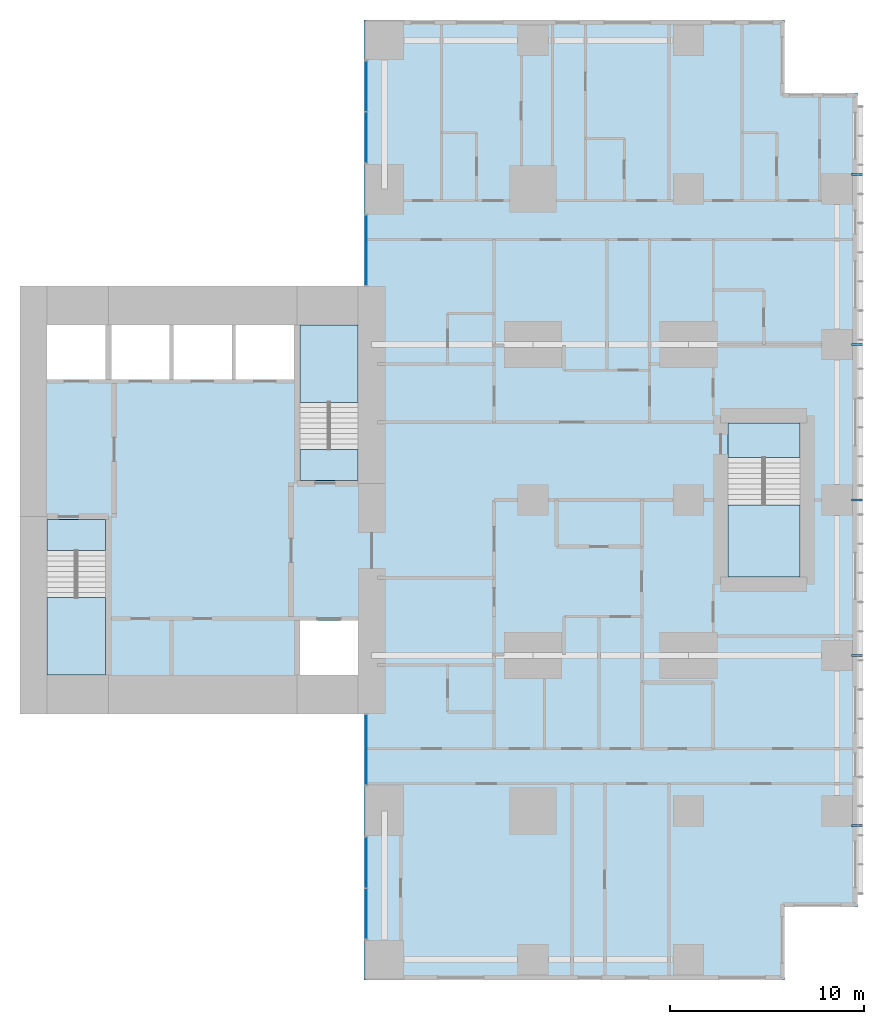
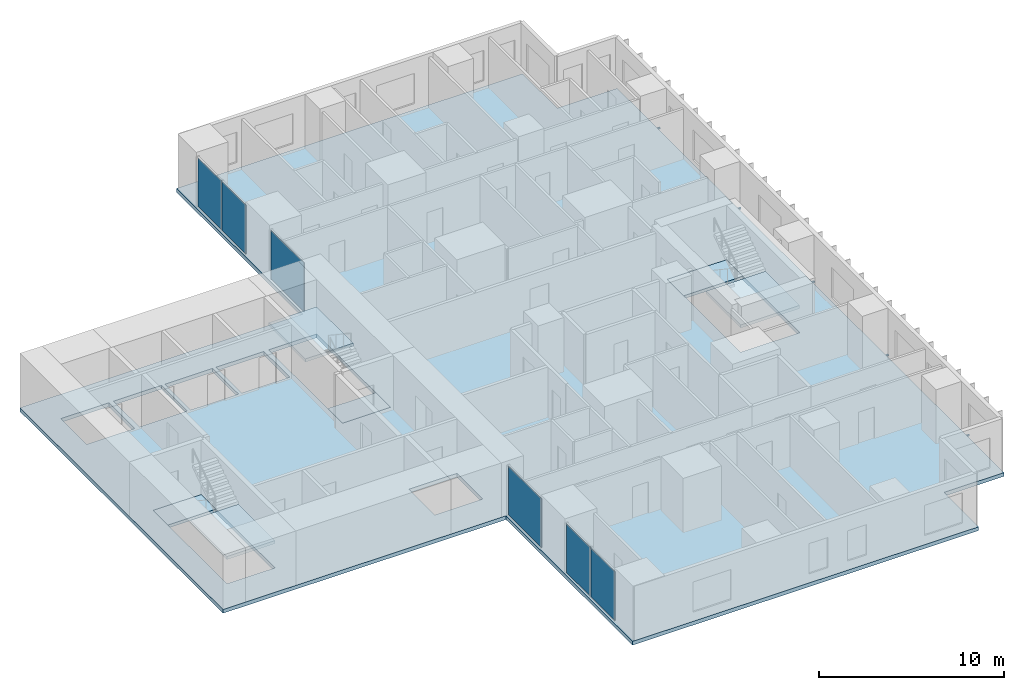
# One storey, part 4 of 12: 7 slabs, 6 plates, 5 members, 7 elements without a shape of their own.
"""IFC4 building model written with IfcOpenShell, lengths in metres."""

from ifc_helpers import new_model, si_unit, direction, frame, origin, origin_2d, place, context, subcontext, project, spatial, polyline, rectangle, hollow_rectangle, outline, extrude, material, layer, layer_set, material_profile, profile_set, type_object, element, aggregate, save


model = new_model("IFC4")

# Units and contexts
model_context = context("Model", 3, precision=1e-05, world=origin(), true_north=direction((0.0, 1.0)))
body_context = subcontext(model_context, "Body", "Model", "MODEL_VIEW")
ifc_project = project(units=[si_unit("LENGTHUNIT", "METRE"), si_unit("AREAUNIT", "SQUARE_METRE"), si_unit("VOLUMEUNIT", "CUBIC_METRE"), si_unit("PLANEANGLEUNIT", "RADIAN"), si_unit("MASSUNIT", "GRAM", prefix="KILO")], contexts=[model_context])

# Site, building, storey
site_placement = place(None, origin())
site = spatial("IfcSite", under=ifc_project, at=site_placement, CompositionType="ELEMENT")
building_placement = place(site_placement, origin())
building = spatial("IfcBuilding", under=site, at=building_placement, Name="Cleftline Residences", CompositionType="ELEMENT")
storey_placement = place(building_placement, frame((0.0, 0.0, 259.199951171875)))
storey = spatial("IfcBuildingStorey", under=building, at=storey_placement, Name="L68", CompositionType="ELEMENT", Elevation=259.199951171875)

# Members
ifc_material_1 = material(Name="Steel S355, hot-dip galvanised", Category="steel")
ifc_material_profile = material_profile(ifc_material_1, hollow_rectangle(XDim=0.10009765625, YDim=0.10009765625, WallThickness=0.008056640625, InnerFilletRadius=0.008056640625, OuterFilletRadius=0.011962890625, at=origin_2d()))
ifc_profile_set = profile_set([ifc_material_profile], Name="Steel S355, hot-dip galvanised")
member_type = type_object("IfcMemberType", Name="BAGUETTE BRACKET SHS 100X100X8", PredefinedType="USERDEFINED", material=ifc_profile_set)
for number, where, z_axis, x_axis, name in (
    (1, (66.39990234375, 7.25, -0.14990234375), (1.0, 0.0, 0.0), (0.0, 1.0, 0.0), "Baguette bracket"),
    (2, (66.39990234375, 16.0, -0.14990234375), (1.0, 0.0, 0.0), (0.0, 1.0, 0.0), "Baguette bracket"),
    (3, (66.39990234375, 24.0, -0.14990234375), (1.0, 0.0, 0.0), (0.0, 1.0, 0.0), "Baguette bracket"),
    (4, (66.39990234375, 32.0, -0.14990234375), (1.0, 0.0, 0.0), (0.0, 1.0, 0.0), "Baguette bracket"),
    (5, (66.39990234375, 40.75, -0.14990234375), (1.0, 0.0, 0.0), (0.0, 1.0, 0.0), "Baguette bracket"),
):
    element("IfcMember", number, at=place(storey_placement, frame(where, z_axis=z_axis, x_axis=x_axis)), inside=storey, type_object=member_type, Name=name, ObjectType="BAGUETTE BRACKET", PredefinedType="USERDEFINED", context=body_context, shape_type="SweptSolid", body=[
        extrude(hollow_rectangle(XDim=0.10009765625, YDim=0.10009765625, WallThickness=0.008056640625, InnerFilletRadius=0.008056640625, OuterFilletRadius=0.011962890625, at=origin_2d()), origin(), (0.0, 0.0, 1.0), 0.550048828125),
    ])

# Curtain wall, plate
ifc_material_2 = material(Name="Aluminium framed curtain wall", Category="aluminium")
ifc_layer_1 = layer(ifc_material_2, 0.199951171875)
ifc_layer_set_1 = layer_set([ifc_layer_1], Name="CW1 CLEFT GLAZING")
curtain_wall_type = type_object("IfcCurtainWallType", Name="CW1 CLEFT GLAZING", PredefinedType="NOTDEFINED", material=ifc_layer_set_1)
curtain_wall_1_placement = place(storey_placement, origin())
curtain_wall_1 = element("IfcCurtainWall", 6, at=curtain_wall_1_placement, inside=storey, type_object=curtain_wall_type, Name="Curtain wall CW1", PredefinedType="NOTDEFINED")
ifc_material_3 = material(Name="Laminated clear glass", Category="glass")
ifc_layer_2 = layer(ifc_material_3, 0.028076171875)
ifc_layer_set_2 = layer_set([ifc_layer_2], Name="CW1 GLASS PANEL")
plate_type = type_object("IfcPlateType", Name="CW1 GLASS PANEL", PredefinedType="CURTAIN_PANEL", material=ifc_layer_set_2)
plate_1_placement = place(storey_placement, frame((41.425048828125, 11.14990234375, 0.06005859375), z_axis=(0.0, 0.0, 1.0), x_axis=(0.0, -1.0, 0.0)))
plate_1 = element("IfcPlate", 7, at=plate_1_placement, type_object=plate_type, Name="CW1 panel 1.1", PredefinedType="CURTAIN_PANEL", context=body_context, shape_type="SweptSolid", body=[
    extrude(rectangle(XDim=3.580078125, YDim=0.028076171875, at=origin_2d()), origin(), (0.0, 0.0, 1.0), 3.22998046875),
])
aggregate(curtain_wall_1, [plate_1])

# Curtain wall, plates
curtain_wall_2_placement = place(storey_placement, origin())
curtain_wall_2 = element("IfcCurtainWall", 8, at=curtain_wall_2_placement, inside=storey, type_object=curtain_wall_type, Name="Curtain wall CW1", PredefinedType="NOTDEFINED")
plate_2_placement = place(storey_placement, frame((41.425048828125, 5.347412109375, 0.06005859375), z_axis=(0.0, 0.0, 1.0), x_axis=(0.0, -1.0, 0.0)))
plate_2 = element("IfcPlate", 9, at=plate_2_placement, type_object=plate_type, Name="CW1 panel 1.1", PredefinedType="CURTAIN_PANEL", context=body_context, shape_type="SweptSolid", body=[
    extrude(rectangle(XDim=2.5849609375, YDim=0.028076171875, at=origin_2d()), origin(), (0.0, 0.0, 1.0), 3.22998046875),
])
plate_3_placement = place(storey_placement, frame((41.425048828125, 2.702392578125, 0.06005859375), z_axis=(0.0, 0.0, 1.0), x_axis=(0.0, -1.0, 0.0)))
plate_3 = element("IfcPlate", 10, at=plate_3_placement, type_object=plate_type, Name="CW1 panel 2.1", PredefinedType="CURTAIN_PANEL", context=body_context, shape_type="SweptSolid", body=[
    extrude(rectangle(XDim=2.5849609375, YDim=0.028076171875, at=origin_2d()), origin(), (0.0, 0.0, 1.0), 3.22998046875),
])
aggregate(curtain_wall_2, [plate_2, plate_3])

curtain_wall_3_placement = place(storey_placement, origin())
curtain_wall_3 = element("IfcCurtainWall", 11, at=curtain_wall_3_placement, inside=storey, type_object=curtain_wall_type, Name="Curtain wall CW1", PredefinedType="NOTDEFINED")
plate_4_placement = place(storey_placement, frame((41.425048828125, 45.297607421875, 0.06005859375), z_axis=(0.0, 0.0, 1.0), x_axis=(0.0, -1.0, 0.0)))
plate_4 = element("IfcPlate", 12, at=plate_4_placement, type_object=plate_type, Name="CW1 panel 1.1", PredefinedType="CURTAIN_PANEL", context=body_context, shape_type="SweptSolid", body=[
    extrude(rectangle(XDim=2.5849609375, YDim=0.028076171875, at=origin_2d()), origin(), (0.0, 0.0, 1.0), 3.22998046875),
])
plate_5_placement = place(storey_placement, frame((41.425048828125, 42.652587890625, 0.06005859375), z_axis=(0.0, 0.0, 1.0), x_axis=(0.0, -1.0, 0.0)))
plate_5 = element("IfcPlate", 13, at=plate_5_placement, type_object=plate_type, Name="CW1 panel 2.1", PredefinedType="CURTAIN_PANEL", context=body_context, shape_type="SweptSolid", body=[
    extrude(rectangle(XDim=2.5849609375, YDim=0.028076171875, at=origin_2d()), origin(), (0.0, 0.0, 1.0), 3.22998046875),
])
aggregate(curtain_wall_3, [plate_4, plate_5])

# Curtain wall, plate
curtain_wall_4_placement = place(storey_placement, origin())
curtain_wall_4 = element("IfcCurtainWall", 14, at=curtain_wall_4_placement, inside=storey, type_object=curtain_wall_type, Name="Curtain wall CW1", PredefinedType="NOTDEFINED")
plate_6_placement = place(storey_placement, frame((41.425048828125, 36.85009765625, 0.06005859375), z_axis=(0.0, 0.0, 1.0), x_axis=(0.0, -1.0, 0.0)))
plate_6 = element("IfcPlate", 15, at=plate_6_placement, type_object=plate_type, Name="CW1 panel 1.1", PredefinedType="CURTAIN_PANEL", context=body_context, shape_type="SweptSolid", body=[
    extrude(rectangle(XDim=3.580078125, YDim=0.028076171875, at=origin_2d()), origin(), (0.0, 0.0, 1.0), 3.22998046875),
])
aggregate(curtain_wall_4, [plate_6])

# Slab
ifc_material_4 = material(Name="Concrete B45", Category="concrete")
ifc_layer_3 = layer(ifc_material_4, 0.25)
ifc_layer_set_3 = layer_set([ifc_layer_3], Name="FLOOR SLAB 250")
slab_type_1 = type_object("IfcSlabType", Name="FLOOR SLAB 250", PredefinedType="FLOOR", material=ifc_layer_set_3)
slab_1_placement = place(storey_placement, frame((0.0, 0.0, -0.25)))
element("IfcSlab", 16, at=slab_1_placement, inside=storey, type_object=slab_type_1, Name="Floor slab L68", PredefinedType="FLOOR", context=body_context, shape_type="SweptSolid", body=[
    extrude(outline(polyline([(41.300048828125, 13.0), (41.300048828125, -0.699951171875), (62.949951171875, -0.699951171875), (62.949951171875, 3.050048828125), (66.699951171875, 3.050048828125), (66.699951171875, 44.949951171875), (62.949951171875, 44.949951171875), (62.949951171875, 48.699951171875), (41.300048828125, 48.699951171875), (41.300048828125, 35.0), (23.60009765625, 35.0), (23.60009765625, 13.0), (41.300048828125, 13.0)]), holes=[polyline([(28.0, 15.0), (28.0, 23.0), (25.0, 23.0), (25.0, 15.0), (28.0, 15.0)]), polyline([(41.0, 25.0), (41.0, 33.0), (38.0, 33.0), (38.0, 25.0), (41.0, 25.0)]), polyline([(28.0, 30.199951171875), (28.0, 33.0), (25.0, 33.0), (25.0, 30.199951171875), (28.0, 30.199951171875)]), polyline([(41.0, 15.0), (41.0, 17.800048828125), (38.0, 17.800048828125), (38.0, 15.0), (41.0, 15.0)]), polyline([(31.300048828125, 30.199951171875), (31.300048828125, 33.0), (28.300048828125, 33.0), (28.300048828125, 30.199951171875), (31.300048828125, 30.199951171875)]), polyline([(34.5, 30.199951171875), (34.5, 33.0), (31.5, 33.0), (31.5, 30.199951171875), (34.5, 30.199951171875)]), polyline([(37.699951171875, 30.199951171875), (37.699951171875, 33.0), (34.699951171875, 33.0), (34.699951171875, 30.199951171875), (37.699951171875, 30.199951171875)]), polyline([(63.72509765625, 20.02490234375), (63.72509765625, 27.97509765625), (60.02490234375, 27.97509765625), (60.02490234375, 20.02490234375), (63.72509765625, 20.02490234375)])]), origin(), (0.0, 0.0, 1.0), 0.25),
])

# Stair, slabs
ifc_material_5 = material(Name="Concrete B45, stone treads", Category="masonry")
stair_type_1 = type_object("IfcStairType", Name="STAIR A 1450 WIDE 180 RISER", PredefinedType="HALF_TURN_STAIR", material=ifc_material_5)
stair_1_placement = place(storey_placement, origin())
stair_1 = element("IfcStair", 17, at=stair_1_placement, inside=storey, type_object=stair_type_1, Name="Stair A L68", PredefinedType="HALF_TURN_STAIR")
ifc_material_6 = material(Name="Concrete B45", Category="concrete")
ifc_layer_4 = layer(ifc_material_6, 0.199951171875)
ifc_layer_set_4 = layer_set([ifc_layer_4], Name="STAIR LANDING 200")
slab_type_2 = type_object("IfcSlabType", Name="STAIR LANDING 200", PredefinedType="LANDING", material=ifc_layer_set_4)
slab_2_placement = place(storey_placement, frame((0.0, 0.0, -0.199951171875)))
slab_2 = element("IfcSlab", 18, at=slab_2_placement, type_object=slab_type_2, Name="ST-A landing 1", PredefinedType="LANDING", context=body_context, shape_type="SweptSolid", body=[
    extrude(outline(polyline([(25.0, 21.39990234375), (28.0, 21.39990234375), (28.0, 23.0), (25.0, 23.0), (25.0, 21.39990234375)])), origin(), (0.0, 0.0, 1.0), 0.199951171875),
])
slab_3_placement = place(storey_placement, frame((0.0, 0.0, 1.60009765625)))
slab_3 = element("IfcSlab", 19, at=slab_3_placement, type_object=slab_type_2, Name="ST-A landing 2", PredefinedType="LANDING", context=body_context, shape_type="SweptSolid", body=[
    extrude(outline(polyline([(25.0, 15.0), (28.0, 15.0), (28.0, 18.969970703125), (25.0, 18.969970703125), (25.0, 15.0)])), origin(), (0.0, 0.0, 1.0), 0.199951171875),
])
aggregate(stair_1, [slab_2, slab_3])

ifc_material_7 = material(Name="Concrete B45, stone treads", Category="masonry")
stair_type_2 = type_object("IfcStairType", Name="STAIR B 1450 WIDE 180 RISER", PredefinedType="HALF_TURN_STAIR", material=ifc_material_7)
stair_2_placement = place(storey_placement, origin())
stair_2 = element("IfcStair", 20, at=stair_2_placement, inside=storey, type_object=stair_type_2, Name="Stair B L68", PredefinedType="HALF_TURN_STAIR")
slab_4_placement = place(storey_placement, frame((0.0, 0.0, -0.199951171875)))
slab_4 = element("IfcSlab", 21, at=slab_4_placement, type_object=slab_type_2, Name="ST-B landing 1", PredefinedType="LANDING", context=body_context, shape_type="SweptSolid", body=[
    extrude(outline(polyline([(38.0, 25.0), (41.0, 25.0), (41.0, 26.60009765625), (38.0, 26.60009765625), (38.0, 25.0)])), origin(), (0.0, 0.0, 1.0), 0.199951171875),
])
slab_5_placement = place(storey_placement, frame((0.0, 0.0, 1.60009765625)))
slab_5 = element("IfcSlab", 22, at=slab_5_placement, type_object=slab_type_2, Name="ST-B landing 2", PredefinedType="LANDING", context=body_context, shape_type="SweptSolid", body=[
    extrude(outline(polyline([(38.0, 29.030029296875), (41.0, 29.030029296875), (41.0, 33.0), (38.0, 33.0), (38.0, 29.030029296875)])), origin(), (0.0, 0.0, 1.0), 0.199951171875),
])
aggregate(stair_2, [slab_4, slab_5])

ifc_material_8 = material(Name="Concrete B45, stone treads", Category="masonry")
stair_type_3 = type_object("IfcStairType", Name="STAIR E 1800 WIDE 180 RISER", PredefinedType="HALF_TURN_STAIR", material=ifc_material_8)
stair_3_placement = place(storey_placement, origin())
stair_3 = element("IfcStair", 23, at=stair_3_placement, inside=storey, type_object=stair_type_3, Name="Stair E L68", PredefinedType="HALF_TURN_STAIR")
slab_6_placement = place(storey_placement, frame((0.0, 0.0, -0.199951171875)))
slab_6 = element("IfcSlab", 24, at=slab_6_placement, type_object=slab_type_2, Name="ST-E landing 1", PredefinedType="LANDING", context=body_context, shape_type="SweptSolid", body=[
    extrude(outline(polyline([(60.02490234375, 26.175048828125), (63.72509765625, 26.175048828125), (63.72509765625, 27.97509765625), (60.02490234375, 27.97509765625), (60.02490234375, 26.175048828125)])), origin(), (0.0, 0.0, 1.0), 0.199951171875),
])
slab_7_placement = place(storey_placement, frame((0.0, 0.0, 1.60009765625)))
slab_7 = element("IfcSlab", 25, at=slab_7_placement, type_object=slab_type_2, Name="ST-E landing 2", PredefinedType="LANDING", context=body_context, shape_type="SweptSolid", body=[
    extrude(outline(polyline([(60.02490234375, 20.02490234375), (63.72509765625, 20.02490234375), (63.72509765625, 23.7451171875), (60.02490234375, 23.7451171875), (60.02490234375, 20.02490234375)])), origin(), (0.0, 0.0, 1.0), 0.199951171875),
])
aggregate(stair_3, [slab_6, slab_7])

save(model, "model.ifc")
